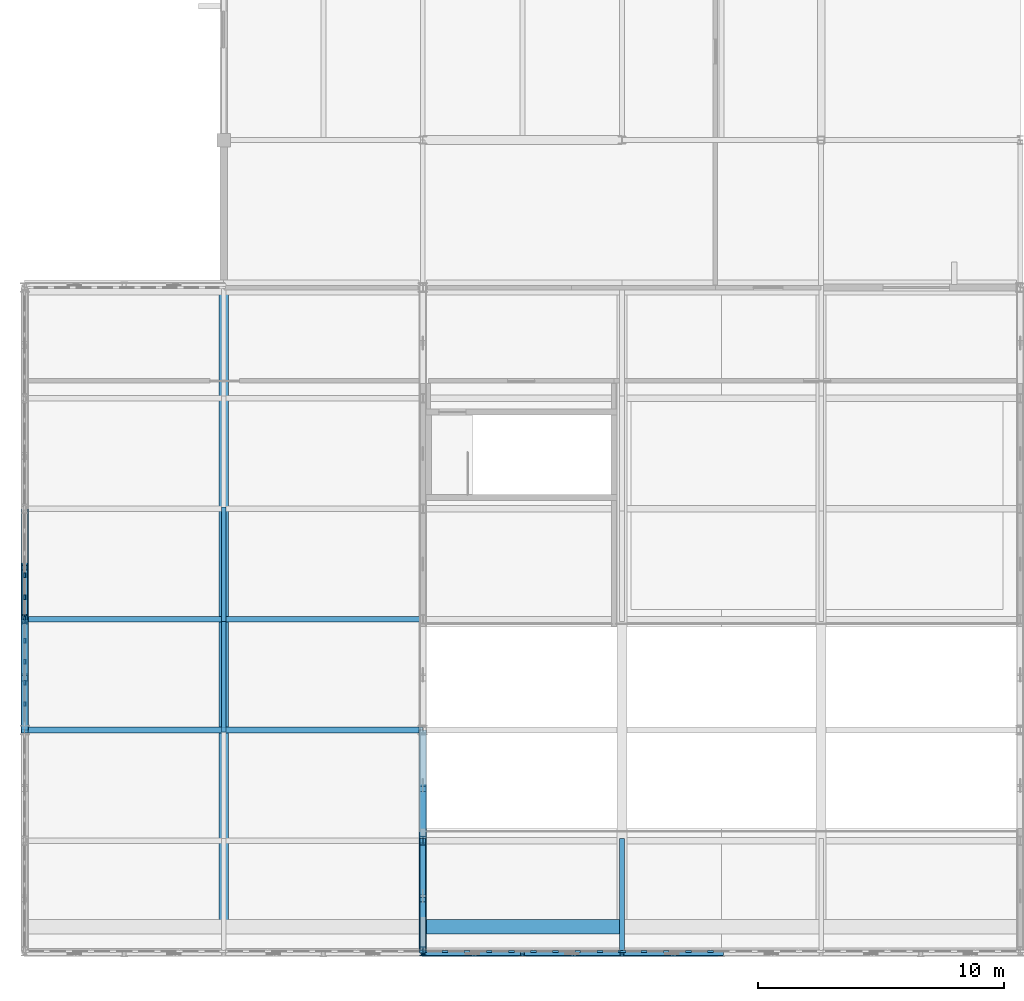
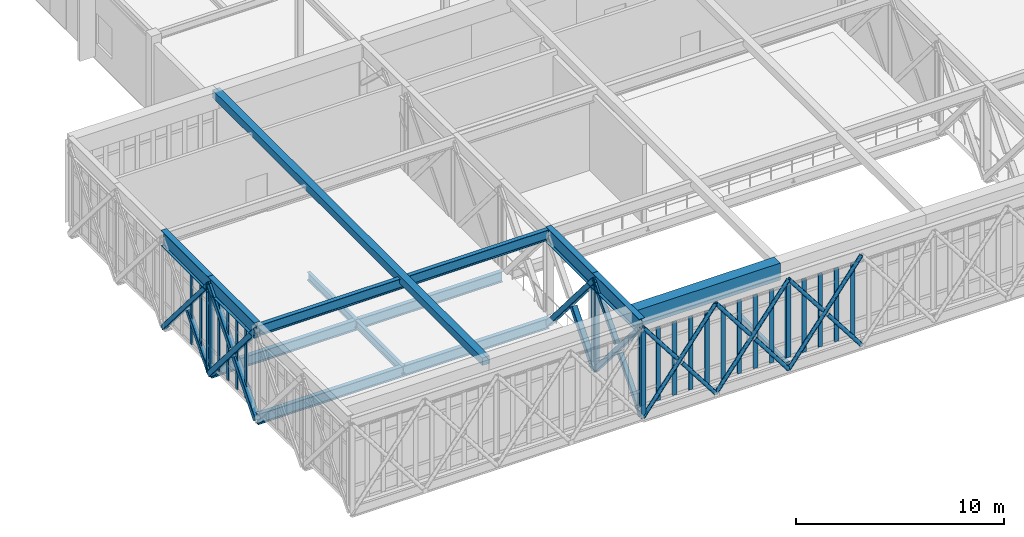
# One storey, part 12 of 70: 46 members, 12 beams, 5 elements without a shape of their own.
"""IFC4 building model written with IfcOpenShell, lengths in metres."""

from ifc_helpers import new_model, si_unit, direction, frame, origin, origin_2d, place, context, subcontext, project, spatial, rectangle, hollow_rectangle, hollow_circle, i_section, extrude, material, material_profile, profile_set, type_object, element, aggregate, save


model = new_model("IFC4")

# Units and contexts
model_context = context("Model", 3, precision=1e-05, world=origin(), true_north=direction((0.0, 1.0)))
body_context = subcontext(model_context, "Body", "Model", "MODEL_VIEW")
ifc_project = project(units=[si_unit("LENGTHUNIT", "METRE"), si_unit("AREAUNIT", "SQUARE_METRE"), si_unit("VOLUMEUNIT", "CUBIC_METRE"), si_unit("PLANEANGLEUNIT", "RADIAN"), si_unit("MASSUNIT", "GRAM", prefix="KILO")], contexts=[model_context])

# Site, building, storey
site_placement = place(None, origin())
site = spatial("IfcSite", under=ifc_project, at=site_placement, CompositionType="ELEMENT")
building_placement = place(site_placement, origin())
building = spatial("IfcBuilding", under=site, at=building_placement, Name="Tarnveldt Square Police Headquarters", CompositionType="ELEMENT")
storey_placement = place(building_placement, frame((0.0, 0.0, 19.800048828125)))
storey = spatial("IfcBuildingStorey", under=building, at=storey_placement, Name="L04", CompositionType="ELEMENT", Elevation=19.800048828125)

# Beams
ifc_material_1 = material(Name="Steel 350W", Category="steel")
ifc_material_profile_1 = material_profile(ifc_material_1, i_section(OverallWidth=0.305908203125, OverallDepth=0.9189453125, WebThickness=0.017333984375, FlangeThickness=0.02783203125, FilletRadius=0.02392578125, at=origin_2d()), Name="W920x253")
ifc_profile_set_1 = profile_set([ifc_material_profile_1], Name="Steel 350W")
beam_type_1 = type_object("IfcBeamType", Name="BM-CT-TOP", PredefinedType="BEAM", material=ifc_profile_set_1)
for number, where, z_axis, x_axis, name in (
    (1, (8.10009765625, 25.0, 4.640380859375), (0.0, -1.0, 0.0), (1.0, 0.0, 0.0), "Cantilever Truss CT-1 Top Chord 3"),
    (2, (8.10009765625, 20.5, 4.640380859375), (0.0, -1.0, 0.0), (1.0, 0.0, 0.0), "Cantilever Truss CT-1 Top Chord 4"),
    (3, (24.300048828125, 16.0, 4.640380859375), (0.0, -1.0, 0.0), (1.0, 0.0, 0.0), "Cantilever Truss CT-2 Top Chord 5"),
    (4, (24.300048828125, 11.5, 4.640380859375), (0.0, -1.0, 0.0), (1.0, 0.0, 0.0), "Cantilever Truss CT-2 Top Chord 6"),
):
    element("IfcBeam", number, at=place(storey_placement, frame(where, z_axis=z_axis, x_axis=x_axis)), inside=storey, type_object=beam_type_1, Name=name, PredefinedType="BEAM", context=body_context, shape_type="SweptSolid", body=[
        extrude(i_section(OverallWidth=0.305908203125, OverallDepth=0.9189453125, WebThickness=0.017333984375, FlangeThickness=0.02783203125, FilletRadius=0.02392578125, at=origin_2d()), origin(), (0.0, 0.0, 1.0), 4.5),
    ])
ifc_material_2 = material(Name="Concrete 50 MPa", Category="concrete")
ifc_material_profile_2 = material_profile(ifc_material_2, rectangle(XDim=0.60009765625, YDim=1.0, at=origin_2d()), Name="RC-B600x1000")
ifc_profile_set_2 = profile_set([ifc_material_profile_2], Name="Concrete 50 MPa")
beam_type_2 = type_object("IfcBeamType", Name="BM-RC600x1000", PredefinedType="BEAM", material=ifc_profile_set_2)
beam_1_placement = place(storey_placement, frame((24.449951171875, 8.0, 4.599853515625), z_axis=(1.0, 0.0, 0.0), x_axis=(0.0, 1.0, 0.0)))
element("IfcBeam", 5, at=beam_1_placement, inside=storey, type_object=beam_type_2, Name="Command and Control Room Springing Edge Ring Beam S3", PredefinedType="BEAM", context=body_context, shape_type="SweptSolid", body=[
    extrude(rectangle(XDim=0.60009765625, YDim=1.0, at=origin_2d()), origin(), (0.0, 0.0, 1.0), 7.949951171875),
])
ifc_material_3 = material(Name="Concrete 40 MPa", Category="concrete")
ifc_material_profile_3 = material_profile(ifc_material_3, rectangle(XDim=0.39990234375, YDim=0.449951171875, at=origin_2d()), Name="RC-TIE400x450")
ifc_profile_set_3 = profile_set([ifc_material_profile_3], Name="Concrete 40 MPa")
beam_type_3 = type_object("IfcBeamType", Name="BM-TIE400x450", PredefinedType="USERDEFINED", material=ifc_profile_set_3)
beam_2_placement = place(storey_placement, frame((16.199951171875, 8.0, 4.849853515625), z_axis=(0.0, 1.0, 0.0), x_axis=(-1.0, 0.0, 0.0)))
element("IfcBeam", 6, at=beam_2_placement, inside=storey, type_object=beam_type_3, Name="Command and Control Room Vault Springing Tie Beam 2", ObjectType="TIE BEAM", PredefinedType="USERDEFINED", context=body_context, shape_type="SweptSolid", body=[
    extrude(rectangle(XDim=0.39990234375, YDim=0.449951171875, at=origin_2d()), origin(), (0.0, 0.0, 1.0), 26.0),
])
ifc_material_profile_4 = material_profile(ifc_material_1, i_section(OverallWidth=0.19189453125, OverallDepth=0.462890625, WebThickness=0.010498046875, FlangeThickness=0.017578125, FilletRadius=0.01806640625, at=origin_2d()), Name="W460x89")
ifc_profile_set_4 = profile_set([ifc_material_profile_4], Name="Steel 350W")
beam_type_4 = type_object("IfcBeamType", Name="BM-W460x89", PredefinedType="BEAM", material=ifc_profile_set_4)
for number, where, z_axis, x_axis, name in (
    (7, (16.199951171875, 25.080078125, -0.491455078125), (0.0, -1.0, 0.0), (1.0, 0.0, 0.0), "Lantern L04 Secondary Beam 16.2"),
    (8, (16.199951171875, 20.580078125, -0.491455078125), (0.0, -1.0, 0.0), (1.0, 0.0, 0.0), "Lantern L04 Secondary Beam 16.3"),
    (9, (32.39990234375, 11.580078125, -0.491455078125), (0.0, -1.0, 0.0), (1.0, 0.0, 0.0), "Lantern L04 Secondary Beam 32.5"),
):
    element("IfcBeam", number, at=place(storey_placement, frame(where, z_axis=z_axis, x_axis=x_axis)), inside=storey, type_object=beam_type_4, Name=name, PredefinedType="BEAM", context=body_context, shape_type="SweptSolid", body=[
        extrude(i_section(OverallWidth=0.19189453125, OverallDepth=0.462890625, WebThickness=0.010498046875, FlangeThickness=0.017578125, FilletRadius=0.01806640625, at=origin_2d()), origin(), (0.0, 0.0, 1.0), 4.66015625),
    ])
ifc_material_profile_5 = material_profile(ifc_material_1, i_section(OverallWidth=0.22900390625, OverallDepth=0.612060546875, WebThickness=0.011962890625, FlangeThickness=0.01953125, FilletRadius=0.01904296875, at=origin_2d()), Name="W610x125")
ifc_profile_set_5 = profile_set([ifc_material_profile_5], Name="Steel 350W")
beam_type_5 = type_object("IfcBeamType", Name="BM-W610x125", PredefinedType="BEAM", material=ifc_profile_set_5)
for number, where, z_axis, x_axis, name in (
    (10, (8.10009765625, 20.5, -0.566162109375), (1.0, 0.0, 0.0), (0.0, 1.0, 0.0), "Command Lantern L04 Transverse Girder 1.3"),
    (11, (8.10009765625, 16.0, -0.566162109375), (1.0, 0.0, 0.0), (0.0, 1.0, 0.0), "Command Lantern L04 Transverse Girder 1.4"),
    (12, (8.10009765625, 16.0, 4.640380859375), (1.0, 0.0, 0.0), (0.0, 1.0, 0.0), "Command Lantern Roof Ring Girder 1.4"),
):
    element("IfcBeam", number, at=place(storey_placement, frame(where, z_axis=z_axis, x_axis=x_axis)), inside=storey, type_object=beam_type_5, Name=name, PredefinedType="BEAM", context=body_context, shape_type="SweptSolid", body=[
        extrude(i_section(OverallWidth=0.22900390625, OverallDepth=0.612060546875, WebThickness=0.011962890625, FlangeThickness=0.01953125, FilletRadius=0.01904296875, at=origin_2d()), origin(), (0.0, 0.0, 1.0), 16.199951171875),
    ])

# Curtain wall, members
ifc_material_4 = material(Name="Triple-glazed low-e laminated vision glass", Category="glass")
curtain_wall_type_1 = type_object("IfcCurtainWallType", Name="CW-LT-430x417", PredefinedType="USERDEFINED", material=ifc_material_4)
curtain_wall_1_placement = place(storey_placement, origin())
curtain_wall_1 = element("IfcCurtainWall", 13, at=curtain_wall_1_placement, inside=storey, type_object=curtain_wall_type_1, Name="L04 Curtain Wall CW-L04-052", ObjectType="GLAZED CURTAIN WALL", PredefinedType="USERDEFINED")
ifc_material_5 = material(Name="Thermally broken anodised aluminium 6063-T6", Category="aluminium")
ifc_material_profile_6 = material_profile(ifc_material_5, rectangle(XDim=0.074951171875, YDim=0.199951171875, at=origin_2d()), Name="CW-M75x200")
ifc_profile_set_6 = profile_set([ifc_material_profile_6], Name="Thermally broken anodised aluminium 6063-T6")
member_type_1 = type_object("IfcMemberType", Name="CWM-75x200", PredefinedType="MULLION", material=ifc_profile_set_6)
member_1_placement = place(storey_placement, frame((8.10009765625, 17.0615234375, 0.0), z_axis=(0.0, 0.0, 1.0), x_axis=(-1.0, 0.0, 0.0)))
member_1 = element("IfcMember", 14, at=member_1_placement, type_object=member_type_1, Name="CW-LT21 mullion 2", PredefinedType="MULLION", context=body_context, shape_type="SweptSolid", body=[
    extrude(rectangle(XDim=0.074951171875, YDim=0.199951171875, at=origin_2d()), origin(), (0.0, 0.0, 1.0), 4.1728515625),
])
member_2_placement = place(storey_placement, frame((8.10009765625, 17.921142578125, 0.0), z_axis=(0.0, 0.0, 1.0), x_axis=(-1.0, 0.0, 0.0)))
member_2 = element("IfcMember", 15, at=member_2_placement, type_object=member_type_1, Name="CW-LT21 mullion 3", PredefinedType="MULLION", context=body_context, shape_type="SweptSolid", body=[
    extrude(rectangle(XDim=0.074951171875, YDim=0.199951171875, at=origin_2d()), origin(), (0.0, 0.0, 1.0), 4.1728515625),
])
member_3_placement = place(storey_placement, frame((8.10009765625, 18.78076171875, 0.0), z_axis=(0.0, 0.0, 1.0), x_axis=(-1.0, 0.0, 0.0)))
member_3 = element("IfcMember", 16, at=member_3_placement, type_object=member_type_1, Name="CW-LT21 mullion 4", PredefinedType="MULLION", context=body_context, shape_type="SweptSolid", body=[
    extrude(rectangle(XDim=0.074951171875, YDim=0.199951171875, at=origin_2d()), origin(), (0.0, 0.0, 1.0), 4.1728515625),
])
member_4_placement = place(storey_placement, frame((8.10009765625, 19.640380859375, 0.0), z_axis=(0.0, 0.0, 1.0), x_axis=(-1.0, 0.0, 0.0)))
member_4 = element("IfcMember", 17, at=member_4_placement, type_object=member_type_1, Name="CW-LT21 mullion 5", PredefinedType="MULLION", context=body_context, shape_type="SweptSolid", body=[
    extrude(rectangle(XDim=0.074951171875, YDim=0.199951171875, at=origin_2d()), origin(), (0.0, 0.0, 1.0), 4.1728515625),
])
member_5_placement = place(storey_placement, frame((8.10009765625, 20.46240234375, 0.0), z_axis=(0.0, 0.0, 1.0), x_axis=(-1.0, 0.0, 0.0)))
member_5 = element("IfcMember", 18, at=member_5_placement, type_object=member_type_1, Name="CW-LT21 mullion 6", PredefinedType="MULLION", context=body_context, shape_type="SweptSolid", body=[
    extrude(rectangle(XDim=0.074951171875, YDim=0.199951171875, at=origin_2d()), origin(), (0.0, 0.0, 1.0), 4.1728515625),
])
aggregate(curtain_wall_1, [member_1, member_2, member_3, member_4, member_5])

curtain_wall_type_2 = type_object("IfcCurtainWallType", Name="CW-LT-450x417", PredefinedType="USERDEFINED", material=ifc_material_4)
curtain_wall_2_placement = place(storey_placement, origin())
curtain_wall_2 = element("IfcCurtainWall", 19, at=curtain_wall_2_placement, inside=storey, type_object=curtain_wall_type_2, Name="L04 Curtain Wall CW-L04-053", ObjectType="GLAZED CURTAIN WALL", PredefinedType="USERDEFINED")
member_6_placement = place(storey_placement, frame((8.10009765625, 20.53759765625, 0.0), z_axis=(0.0, 0.0, 1.0), x_axis=(-1.0, 0.0, 0.0)))
member_6 = element("IfcMember", 20, at=member_6_placement, type_object=member_type_1, Name="CW-LT22 mullion 1", PredefinedType="MULLION", context=body_context, shape_type="SweptSolid", body=[
    extrude(rectangle(XDim=0.074951171875, YDim=0.199951171875, at=origin_2d()), origin(), (0.0, 0.0, 1.0), 4.1728515625),
])
member_7_placement = place(storey_placement, frame((8.10009765625, 21.39990234375, 0.0), z_axis=(0.0, 0.0, 1.0), x_axis=(-1.0, 0.0, 0.0)))
member_7 = element("IfcMember", 21, at=member_7_placement, type_object=member_type_1, Name="CW-LT22 mullion 2", PredefinedType="MULLION", context=body_context, shape_type="SweptSolid", body=[
    extrude(rectangle(XDim=0.074951171875, YDim=0.199951171875, at=origin_2d()), origin(), (0.0, 0.0, 1.0), 4.1728515625),
])
member_8_placement = place(storey_placement, frame((8.10009765625, 22.300048828125, 0.0), z_axis=(0.0, 0.0, 1.0), x_axis=(-1.0, 0.0, 0.0)))
member_8 = element("IfcMember", 22, at=member_8_placement, type_object=member_type_1, Name="CW-LT22 mullion 3", PredefinedType="MULLION", context=body_context, shape_type="SweptSolid", body=[
    extrude(rectangle(XDim=0.074951171875, YDim=0.199951171875, at=origin_2d()), origin(), (0.0, 0.0, 1.0), 4.1728515625),
])
aggregate(curtain_wall_2, [member_6, member_7, member_8])

# Curtain wall, member
ifc_material_6 = material(Name="UL 752 Level III laminated ballistic vision glass", Category="glass")
curtain_wall_type_3 = type_object("IfcCurtainWallType", Name="CW-BL-810x433", PredefinedType="USERDEFINED", material=ifc_material_6)
curtain_wall_3_placement = place(storey_placement, origin())
curtain_wall_3 = element("IfcCurtainWall", 23, at=curtain_wall_3_placement, inside=storey, type_object=curtain_wall_type_3, Name="L04 Curtain Wall CW-L04-041", ObjectType="BALLISTIC CURTAIN WALL", PredefinedType="USERDEFINED")
ifc_material_profile_7 = material_profile(ifc_material_5, rectangle(XDim=0.0849609375, YDim=0.239990234375, at=origin_2d()), Name="CW-M85x240")
ifc_profile_set_7 = profile_set([ifc_material_profile_7], Name="Thermally broken anodised aluminium 6063-T6")
member_type_2 = type_object("IfcMemberType", Name="CWM-85x240", PredefinedType="MULLION", material=ifc_profile_set_7)
member_9_placement = place(storey_placement, frame((24.257568359375, 7.0, 0.0), z_axis=(0.0, 0.0, 1.0), x_axis=(0.0, 1.0, 0.0)))
member_9 = element("IfcMember", 24, at=member_9_placement, type_object=member_type_2, Name="CW-BL17 mullion 10", PredefinedType="MULLION", context=body_context, shape_type="SweptSolid", body=[
    extrude(rectangle(XDim=0.0849609375, YDim=0.239990234375, at=origin_2d()), origin(), (0.0, 0.0, 1.0), 4.326416015625),
])
aggregate(curtain_wall_3, [member_9])

# Curtain wall, members
curtain_wall_type_4 = type_object("IfcCurtainWallType", Name="CW-BL-810x429", PredefinedType="USERDEFINED", material=ifc_material_6)
curtain_wall_4_placement = place(storey_placement, origin())
curtain_wall_4 = element("IfcCurtainWall", 25, at=curtain_wall_4_placement, inside=storey, type_object=curtain_wall_type_4, Name="L04 Curtain Wall CW-L04-042", ObjectType="BALLISTIC CURTAIN WALL", PredefinedType="USERDEFINED")
member_10_placement = place(storey_placement, frame((24.342529296875, 7.0, 0.0), z_axis=(0.0, 0.0, 1.0), x_axis=(0.0, 1.0, 0.0)))
member_10 = element("IfcMember", 26, at=member_10_placement, type_object=member_type_2, Name="CW-BL18 mullion 1", PredefinedType="MULLION", context=body_context, shape_type="SweptSolid", body=[
    extrude(rectangle(XDim=0.0849609375, YDim=0.239990234375, at=origin_2d()), origin(), (0.0, 0.0, 1.0), 4.288330078125),
])
member_11_placement = place(storey_placement, frame((25.199951171875, 7.0, 0.0), z_axis=(0.0, 0.0, 1.0), x_axis=(0.0, 1.0, 0.0)))
member_11 = element("IfcMember", 27, at=member_11_placement, type_object=member_type_2, Name="CW-BL18 mullion 2", PredefinedType="MULLION", context=body_context, shape_type="SweptSolid", body=[
    extrude(rectangle(XDim=0.0849609375, YDim=0.239990234375, at=origin_2d()), origin(), (0.0, 0.0, 1.0), 4.288330078125),
])
member_12_placement = place(storey_placement, frame((26.10009765625, 7.0, 0.0), z_axis=(0.0, 0.0, 1.0), x_axis=(0.0, 1.0, 0.0)))
member_12 = element("IfcMember", 28, at=member_12_placement, type_object=member_type_2, Name="CW-BL18 mullion 3", PredefinedType="MULLION", context=body_context, shape_type="SweptSolid", body=[
    extrude(rectangle(XDim=0.0849609375, YDim=0.239990234375, at=origin_2d()), origin(), (0.0, 0.0, 1.0), 4.288330078125),
])
member_13_placement = place(storey_placement, frame((27.0, 7.0, 0.0), z_axis=(0.0, 0.0, 1.0), x_axis=(0.0, 1.0, 0.0)))
member_13 = element("IfcMember", 29, at=member_13_placement, type_object=member_type_2, Name="CW-BL18 mullion 4", PredefinedType="MULLION", context=body_context, shape_type="SweptSolid", body=[
    extrude(rectangle(XDim=0.0849609375, YDim=0.239990234375, at=origin_2d()), origin(), (0.0, 0.0, 1.0), 4.288330078125),
])
member_14_placement = place(storey_placement, frame((27.89990234375, 7.0, 0.0), z_axis=(0.0, 0.0, 1.0), x_axis=(0.0, 1.0, 0.0)))
member_14 = element("IfcMember", 30, at=member_14_placement, type_object=member_type_2, Name="CW-BL18 mullion 5", PredefinedType="MULLION", context=body_context, shape_type="SweptSolid", body=[
    extrude(rectangle(XDim=0.0849609375, YDim=0.239990234375, at=origin_2d()), origin(), (0.0, 0.0, 1.0), 4.288330078125),
])
member_15_placement = place(storey_placement, frame((28.800048828125, 7.0, 0.0), z_axis=(0.0, 0.0, 1.0), x_axis=(0.0, 1.0, 0.0)))
member_15 = element("IfcMember", 31, at=member_15_placement, type_object=member_type_2, Name="CW-BL18 mullion 6", PredefinedType="MULLION", context=body_context, shape_type="SweptSolid", body=[
    extrude(rectangle(XDim=0.0849609375, YDim=0.239990234375, at=origin_2d()), origin(), (0.0, 0.0, 1.0), 4.288330078125),
])
member_16_placement = place(storey_placement, frame((29.699951171875, 7.0, 0.0), z_axis=(0.0, 0.0, 1.0), x_axis=(0.0, 1.0, 0.0)))
member_16 = element("IfcMember", 32, at=member_16_placement, type_object=member_type_2, Name="CW-BL18 mullion 7", PredefinedType="MULLION", context=body_context, shape_type="SweptSolid", body=[
    extrude(rectangle(XDim=0.0849609375, YDim=0.239990234375, at=origin_2d()), origin(), (0.0, 0.0, 1.0), 4.288330078125),
])
member_17_placement = place(storey_placement, frame((30.60009765625, 7.0, 0.0), z_axis=(0.0, 0.0, 1.0), x_axis=(0.0, 1.0, 0.0)))
member_17 = element("IfcMember", 33, at=member_17_placement, type_object=member_type_2, Name="CW-BL18 mullion 8", PredefinedType="MULLION", context=body_context, shape_type="SweptSolid", body=[
    extrude(rectangle(XDim=0.0849609375, YDim=0.239990234375, at=origin_2d()), origin(), (0.0, 0.0, 1.0), 4.288330078125),
])
member_18_placement = place(storey_placement, frame((31.5, 7.0, 0.0), z_axis=(0.0, 0.0, 1.0), x_axis=(0.0, 1.0, 0.0)))
member_18 = element("IfcMember", 34, at=member_18_placement, type_object=member_type_2, Name="CW-BL18 mullion 9", PredefinedType="MULLION", context=body_context, shape_type="SweptSolid", body=[
    extrude(rectangle(XDim=0.0849609375, YDim=0.239990234375, at=origin_2d()), origin(), (0.0, 0.0, 1.0), 4.288330078125),
])
member_19_placement = place(storey_placement, frame((32.357421875, 7.0, 0.0), z_axis=(0.0, 0.0, 1.0), x_axis=(0.0, 1.0, 0.0)))
member_19 = element("IfcMember", 35, at=member_19_placement, type_object=member_type_2, Name="CW-BL18 mullion 10", PredefinedType="MULLION", context=body_context, shape_type="SweptSolid", body=[
    extrude(rectangle(XDim=0.0849609375, YDim=0.239990234375, at=origin_2d()), origin(), (0.0, 0.0, 1.0), 4.288330078125),
])
aggregate(curtain_wall_4, [member_10, member_11, member_12, member_13, member_14, member_15, member_16, member_17, member_18, member_19])

curtain_wall_5_placement = place(storey_placement, origin())
curtain_wall_5 = element("IfcCurtainWall", 36, at=curtain_wall_5_placement, inside=storey, type_object=curtain_wall_type_4, Name="L04 Curtain Wall CW-L04-043", ObjectType="BALLISTIC CURTAIN WALL", PredefinedType="USERDEFINED")
member_20_placement = place(storey_placement, frame((32.4423828125, 7.0, 0.0), z_axis=(0.0, 0.0, 1.0), x_axis=(0.0, 1.0, 0.0)))
member_20 = element("IfcMember", 37, at=member_20_placement, type_object=member_type_2, Name="CW-BL18 mullion 1", PredefinedType="MULLION", context=body_context, shape_type="SweptSolid", body=[
    extrude(rectangle(XDim=0.0849609375, YDim=0.239990234375, at=origin_2d()), origin(), (0.0, 0.0, 1.0), 4.288330078125),
])
member_21_placement = place(storey_placement, frame((33.300048828125, 7.0, 0.0), z_axis=(0.0, 0.0, 1.0), x_axis=(0.0, 1.0, 0.0)))
member_21 = element("IfcMember", 38, at=member_21_placement, type_object=member_type_2, Name="CW-BL18 mullion 2", PredefinedType="MULLION", context=body_context, shape_type="SweptSolid", body=[
    extrude(rectangle(XDim=0.0849609375, YDim=0.239990234375, at=origin_2d()), origin(), (0.0, 0.0, 1.0), 4.288330078125),
])
member_22_placement = place(storey_placement, frame((34.199951171875, 7.0, 0.0), z_axis=(0.0, 0.0, 1.0), x_axis=(0.0, 1.0, 0.0)))
member_22 = element("IfcMember", 39, at=member_22_placement, type_object=member_type_2, Name="CW-BL18 mullion 3", PredefinedType="MULLION", context=body_context, shape_type="SweptSolid", body=[
    extrude(rectangle(XDim=0.0849609375, YDim=0.239990234375, at=origin_2d()), origin(), (0.0, 0.0, 1.0), 4.288330078125),
])
member_23_placement = place(storey_placement, frame((35.10009765625, 7.0, 0.0), z_axis=(0.0, 0.0, 1.0), x_axis=(0.0, 1.0, 0.0)))
member_23 = element("IfcMember", 40, at=member_23_placement, type_object=member_type_2, Name="CW-BL18 mullion 4", PredefinedType="MULLION", context=body_context, shape_type="SweptSolid", body=[
    extrude(rectangle(XDim=0.0849609375, YDim=0.239990234375, at=origin_2d()), origin(), (0.0, 0.0, 1.0), 4.288330078125),
])
member_24_placement = place(storey_placement, frame((36.0, 7.0, 0.0), z_axis=(0.0, 0.0, 1.0), x_axis=(0.0, 1.0, 0.0)))
member_24 = element("IfcMember", 41, at=member_24_placement, type_object=member_type_2, Name="CW-BL18 mullion 5", PredefinedType="MULLION", context=body_context, shape_type="SweptSolid", body=[
    extrude(rectangle(XDim=0.0849609375, YDim=0.239990234375, at=origin_2d()), origin(), (0.0, 0.0, 1.0), 4.288330078125),
])
aggregate(curtain_wall_5, [member_20, member_21, member_22, member_23, member_24])

# Members
ifc_material_profile_8 = material_profile(ifc_material_1, i_section(OverallWidth=0.257080078125, OverallDepth=0.363037109375, WebThickness=0.012939453125, FlangeThickness=0.021728515625, FilletRadius=0.01611328125, at=origin_2d()), Name="W360x122")
ifc_profile_set_8 = profile_set([ifc_material_profile_8], Name="Steel 350W")
member_type_3 = type_object("IfcMemberType", Name="MEM-CT-POST", PredefinedType="STRUT", material=ifc_profile_set_8)
for number, where, z_axis, x_axis, name in (
    (42, (8.10009765625, 20.5, -0.64306640625), (0.0, 0.0, 1.0), (1.0, 0.0, 0.0), "Cantilever Truss CT-1 L04 Post 4"),
    (43, (24.300048828125, 11.5, -0.64306640625), (0.0, 0.0, 1.0), (1.0, 0.0, 0.0), "Cantilever Truss CT-2 L04 Post 6"),
    (44, (24.300048828125, 7.0, -0.64306640625), (0.0, 0.0, 1.0), (1.0, 0.0, 0.0), "Cantilever Truss CT-2 L04 Post 7"),
):
    element("IfcMember", number, at=place(storey_placement, frame(where, z_axis=z_axis, x_axis=x_axis)), inside=storey, type_object=member_type_3, Name=name, PredefinedType="STRUT", context=body_context, shape_type="SweptSolid", body=[
        extrude(i_section(OverallWidth=0.257080078125, OverallDepth=0.363037109375, WebThickness=0.012939453125, FlangeThickness=0.021728515625, FilletRadius=0.01611328125, at=origin_2d()), origin(), (0.0, 0.0, 1.0), 5.283447265625),
    ])
ifc_material_profile_9 = material_profile(ifc_material_1, hollow_rectangle(XDim=0.3046875, YDim=0.3046875, WallThickness=0.015869140625, InnerFilletRadius=0.015869140625, OuterFilletRadius=0.03173828125, at=origin_2d()), Name="HSS305x305x16")
ifc_profile_set_9 = profile_set([ifc_material_profile_9], Name="Steel 350W")
member_type_4 = type_object("IfcMemberType", Name="MEM-CT-WEB1", PredefinedType="BRACE", material=ifc_profile_set_9)
member_25_placement = place(storey_placement, frame((8.10009765625, 20.5, -0.64306640625), z_axis=(0.0, -0.648406807061, 0.761294038173), x_axis=(1.0, 0.0, 0.0)))
element("IfcMember", 45, at=member_25_placement, inside=storey, type_object=member_type_4, Name="Cantilever Truss CT-1 L04 Web A4", PredefinedType="BRACE", context=body_context, shape_type="SweptSolid", body=[
    extrude(hollow_rectangle(XDim=0.3046875, YDim=0.3046875, WallThickness=0.015869140625, InnerFilletRadius=0.015869140625, OuterFilletRadius=0.03173828125, at=origin_2d()), origin(), (0.0, 0.0, 1.0), 6.940185546875),
])
member_26_placement = place(storey_placement, frame((8.10009765625, 16.0, -0.64306640625), z_axis=(0.0, 0.648400353561, 0.761299534678), x_axis=(-1.0, 0.0, 0.0)))
element("IfcMember", 46, at=member_26_placement, inside=storey, type_object=member_type_4, Name="Cantilever Truss CT-1 L04 Web B4 Lower", PredefinedType="BRACE", context=body_context, shape_type="SweptSolid", body=[
    extrude(hollow_rectangle(XDim=0.3046875, YDim=0.3046875, WallThickness=0.015869140625, InnerFilletRadius=0.015869140625, OuterFilletRadius=0.03173828125, at=origin_2d()), origin(), (0.0, 0.0, 1.0), 3.250244140625),
])
member_27_placement = place(storey_placement, frame((8.10009765625, 18.392578125, 2.166259765625), z_axis=(0.0, 0.648437434135, 0.761267951521), x_axis=(-1.0, 0.0, 0.0)))
element("IfcMember", 47, at=member_27_placement, inside=storey, type_object=member_type_4, Name="Cantilever Truss CT-1 L04 Web B4 Upper", PredefinedType="BRACE", context=body_context, shape_type="SweptSolid", body=[
    extrude(hollow_rectangle(XDim=0.3046875, YDim=0.3046875, WallThickness=0.015869140625, InnerFilletRadius=0.015869140625, OuterFilletRadius=0.03173828125, at=origin_2d()), origin(), (0.0, 0.0, 1.0), 3.25),
])
member_28_placement = place(storey_placement, frame((24.300048828125, 16.0, -0.64306640625), z_axis=(0.0, -0.648406807061, 0.761294038173), x_axis=(1.0, 0.0, 0.0)))
element("IfcMember", 48, at=member_28_placement, inside=storey, type_object=member_type_4, Name="Cantilever Truss CT-2 L04 Web A5", PredefinedType="BRACE", context=body_context, shape_type="SweptSolid", body=[
    extrude(hollow_rectangle(XDim=0.3046875, YDim=0.3046875, WallThickness=0.015869140625, InnerFilletRadius=0.015869140625, OuterFilletRadius=0.03173828125, at=origin_2d()), origin(), (0.0, 0.0, 1.0), 6.940185546875),
])
member_29_placement = place(storey_placement, frame((24.300048828125, 11.5, -0.64306640625), z_axis=(0.0, 0.648400353561, 0.761299534678), x_axis=(-1.0, 0.0, 0.0)))
element("IfcMember", 49, at=member_29_placement, inside=storey, type_object=member_type_4, Name="Cantilever Truss CT-2 L04 Web B5 Lower", PredefinedType="BRACE", context=body_context, shape_type="SweptSolid", body=[
    extrude(hollow_rectangle(XDim=0.3046875, YDim=0.3046875, WallThickness=0.015869140625, InnerFilletRadius=0.015869140625, OuterFilletRadius=0.03173828125, at=origin_2d()), origin(), (0.0, 0.0, 1.0), 3.250244140625),
])
ifc_material_profile_10 = material_profile(ifc_material_1, hollow_rectangle(XDim=0.25390625, YDim=0.25390625, WallThickness=0.0126953125, InnerFilletRadius=0.0126953125, OuterFilletRadius=0.025390625, at=origin_2d()), Name="HSS254x254x13")
ifc_profile_set_10 = profile_set([ifc_material_profile_10], Name="Steel 350W")
member_type_5 = type_object("IfcMemberType", Name="MEM-CT-WEB2", PredefinedType="BRACE", material=ifc_profile_set_10)
member_30_placement = place(storey_placement, frame((8.10009765625, 25.0, -0.64306640625), z_axis=(0.0, -0.648406807061, 0.761294038173), x_axis=(1.0, 0.0, 0.0)))
element("IfcMember", 50, at=member_30_placement, inside=storey, type_object=member_type_5, Name="Cantilever Truss CT-1 L04 Web A3", PredefinedType="BRACE", context=body_context, shape_type="SweptSolid", body=[
    extrude(hollow_rectangle(XDim=0.25390625, YDim=0.25390625, WallThickness=0.0126953125, InnerFilletRadius=0.0126953125, OuterFilletRadius=0.025390625, at=origin_2d()), origin(), (0.0, 0.0, 1.0), 6.940185546875),
])
member_31_placement = place(storey_placement, frame((8.10009765625, 20.5, -0.64306640625), z_axis=(0.0, 0.648400353561, 0.761299534678), x_axis=(-1.0, 0.0, 0.0)))
element("IfcMember", 51, at=member_31_placement, inside=storey, type_object=member_type_5, Name="Cantilever Truss CT-1 L04 Web B3 Lower", PredefinedType="BRACE", context=body_context, shape_type="SweptSolid", body=[
    extrude(hollow_rectangle(XDim=0.25390625, YDim=0.25390625, WallThickness=0.0126953125, InnerFilletRadius=0.0126953125, OuterFilletRadius=0.025390625, at=origin_2d()), origin(), (0.0, 0.0, 1.0), 3.250244140625),
])
member_32_placement = place(storey_placement, frame((24.300048828125, 11.5, -0.64306640625), z_axis=(0.0, -0.648406807061, 0.761294038173), x_axis=(1.0, 0.0, 0.0)))
element("IfcMember", 52, at=member_32_placement, inside=storey, type_object=member_type_5, Name="Cantilever Truss CT-2 L04 Web A6", PredefinedType="BRACE", context=body_context, shape_type="SweptSolid", body=[
    extrude(hollow_rectangle(XDim=0.25390625, YDim=0.25390625, WallThickness=0.0126953125, InnerFilletRadius=0.0126953125, OuterFilletRadius=0.025390625, at=origin_2d()), origin(), (0.0, 0.0, 1.0), 6.940185546875),
])
member_33_placement = place(storey_placement, frame((24.300048828125, 7.0, -0.64306640625), z_axis=(0.0, 0.648400353561, 0.761299534678), x_axis=(-1.0, 0.0, 0.0)))
element("IfcMember", 53, at=member_33_placement, inside=storey, type_object=member_type_5, Name="Cantilever Truss CT-2 L04 Web B6 Lower", PredefinedType="BRACE", context=body_context, shape_type="SweptSolid", body=[
    extrude(hollow_rectangle(XDim=0.25390625, YDim=0.25390625, WallThickness=0.0126953125, InnerFilletRadius=0.0126953125, OuterFilletRadius=0.025390625, at=origin_2d()), origin(), (0.0, 0.0, 1.0), 3.250244140625),
])
member_34_placement = place(storey_placement, frame((24.300048828125, 9.392578125, 2.166259765625), z_axis=(0.0, 0.648437434135, 0.761267951521), x_axis=(-1.0, 0.0, 0.0)))
element("IfcMember", 54, at=member_34_placement, inside=storey, type_object=member_type_5, Name="Cantilever Truss CT-2 L04 Web B6 Upper", PredefinedType="BRACE", context=body_context, shape_type="SweptSolid", body=[
    extrude(hollow_rectangle(XDim=0.25390625, YDim=0.25390625, WallThickness=0.0126953125, InnerFilletRadius=0.0126953125, OuterFilletRadius=0.025390625, at=origin_2d()), origin(), (0.0, 0.0, 1.0), 3.25),
])
ifc_material_profile_11 = material_profile(ifc_material_1, hollow_circle(Radius=0.109619140625, WallThickness=0.010986328125, at=origin_2d()), Name="HSS219x11")
ifc_profile_set_11 = profile_set([ifc_material_profile_11], Name="Steel 350W")
member_type_6 = type_object("IfcMemberType", Name="MEM-LT-DIAG2", PredefinedType="BRACE", material=ifc_profile_set_11)
member_35_placement = place(storey_placement, frame((24.300048828125, 6.89990234375, -0.64306640625), z_axis=(0.608375338642, 0.0, 0.793649448644), x_axis=(0.0, 1.0, 0.0)))
element("IfcMember", 55, at=member_35_placement, inside=storey, type_object=member_type_6, Name="Command Lantern S Steel Lattice Brace 3.1A", PredefinedType="BRACE", context=body_context, shape_type="SweptSolid", body=[
    extrude(hollow_circle(Radius=0.109619140625, WallThickness=0.010986328125, at=origin_2d()), origin(), (0.0, 0.0, 1.0), 6.6572265625),
])
member_36_placement = place(storey_placement, frame((28.35009765625, 6.89990234375, -0.64306640625), z_axis=(-0.608344715413, 0.0, 0.793672922071), x_axis=(0.0, -1.0, 0.0)))
element("IfcMember", 56, at=member_36_placement, inside=storey, type_object=member_type_6, Name="Command Lantern S Steel Lattice Brace 3.1B Lower", PredefinedType="BRACE", context=body_context, shape_type="SweptSolid", body=[
    extrude(hollow_circle(Radius=0.109619140625, WallThickness=0.010986328125, at=origin_2d()), origin(), (0.0, 0.0, 1.0), 3.128662109375),
])
member_37_placement = place(storey_placement, frame((26.203369140625, 6.89990234375, 2.157470703125), z_axis=(-0.608382393445, 0.0, 0.793644040705), x_axis=(0.0, -1.0, 0.0)))
element("IfcMember", 57, at=member_37_placement, inside=storey, type_object=member_type_6, Name="Command Lantern S Steel Lattice Brace 3.1B Upper", PredefinedType="BRACE", context=body_context, shape_type="SweptSolid", body=[
    extrude(hollow_circle(Radius=0.109619140625, WallThickness=0.010986328125, at=origin_2d()), origin(), (0.0, 0.0, 1.0), 3.12841796875),
])
member_38_placement = place(storey_placement, frame((28.35009765625, 6.89990234375, -0.64306640625), z_axis=(0.608352238036, 0.0, 0.793667155977), x_axis=(0.0, 1.0, 0.0)))
element("IfcMember", 58, at=member_38_placement, inside=storey, type_object=member_type_6, Name="Command Lantern S Steel Lattice Brace 3.2A", PredefinedType="BRACE", context=body_context, shape_type="SweptSolid", body=[
    extrude(hollow_circle(Radius=0.109619140625, WallThickness=0.010986328125, at=origin_2d()), origin(), (0.0, 0.0, 1.0), 6.656982421875),
])
member_39_placement = place(storey_placement, frame((32.39990234375, 6.89990234375, -0.64306640625), z_axis=(-0.608344715413, 0.0, 0.793672922071), x_axis=(0.0, -1.0, 0.0)))
element("IfcMember", 59, at=member_39_placement, inside=storey, type_object=member_type_6, Name="Command Lantern S Steel Lattice Brace 3.2B Lower", PredefinedType="BRACE", context=body_context, shape_type="SweptSolid", body=[
    extrude(hollow_circle(Radius=0.109619140625, WallThickness=0.010986328125, at=origin_2d()), origin(), (0.0, 0.0, 1.0), 3.128662109375),
])
member_40_placement = place(storey_placement, frame((30.25341796875, 6.89990234375, 2.157470703125), z_axis=(-0.608382393445, 0.0, 0.793644040705), x_axis=(0.0, -1.0, 0.0)))
element("IfcMember", 60, at=member_40_placement, inside=storey, type_object=member_type_6, Name="Command Lantern S Steel Lattice Brace 3.2B Upper", PredefinedType="BRACE", context=body_context, shape_type="SweptSolid", body=[
    extrude(hollow_circle(Radius=0.109619140625, WallThickness=0.010986328125, at=origin_2d()), origin(), (0.0, 0.0, 1.0), 3.12841796875),
])
member_41_placement = place(storey_placement, frame((32.39990234375, 6.89990234375, -0.64306640625), z_axis=(0.608375338642, 0.0, 0.793649448644), x_axis=(0.0, 1.0, 0.0)))
element("IfcMember", 61, at=member_41_placement, inside=storey, type_object=member_type_6, Name="Command Lantern S Steel Lattice Brace 4.1A", PredefinedType="BRACE", context=body_context, shape_type="SweptSolid", body=[
    extrude(hollow_circle(Radius=0.109619140625, WallThickness=0.010986328125, at=origin_2d()), origin(), (0.0, 0.0, 1.0), 6.6572265625),
])
member_42_placement = place(storey_placement, frame((36.449951171875, 6.89990234375, -0.64306640625), z_axis=(-0.608344715413, 0.0, 0.793672922071), x_axis=(0.0, -1.0, 0.0)))
element("IfcMember", 62, at=member_42_placement, inside=storey, type_object=member_type_6, Name="Command Lantern S Steel Lattice Brace 4.1B Lower", PredefinedType="BRACE", context=body_context, shape_type="SweptSolid", body=[
    extrude(hollow_circle(Radius=0.109619140625, WallThickness=0.010986328125, at=origin_2d()), origin(), (0.0, 0.0, 1.0), 3.128662109375),
])
member_43_placement = place(storey_placement, frame((34.30322265625, 6.89990234375, 2.157470703125), z_axis=(-0.608382393445, 0.0, 0.793644040705), x_axis=(0.0, -1.0, 0.0)))
element("IfcMember", 63, at=member_43_placement, inside=storey, type_object=member_type_6, Name="Command Lantern S Steel Lattice Brace 4.1B Upper", PredefinedType="BRACE", context=body_context, shape_type="SweptSolid", body=[
    extrude(hollow_circle(Radius=0.109619140625, WallThickness=0.010986328125, at=origin_2d()), origin(), (0.0, 0.0, 1.0), 3.12841796875),
])

save(model, "model.ifc")
